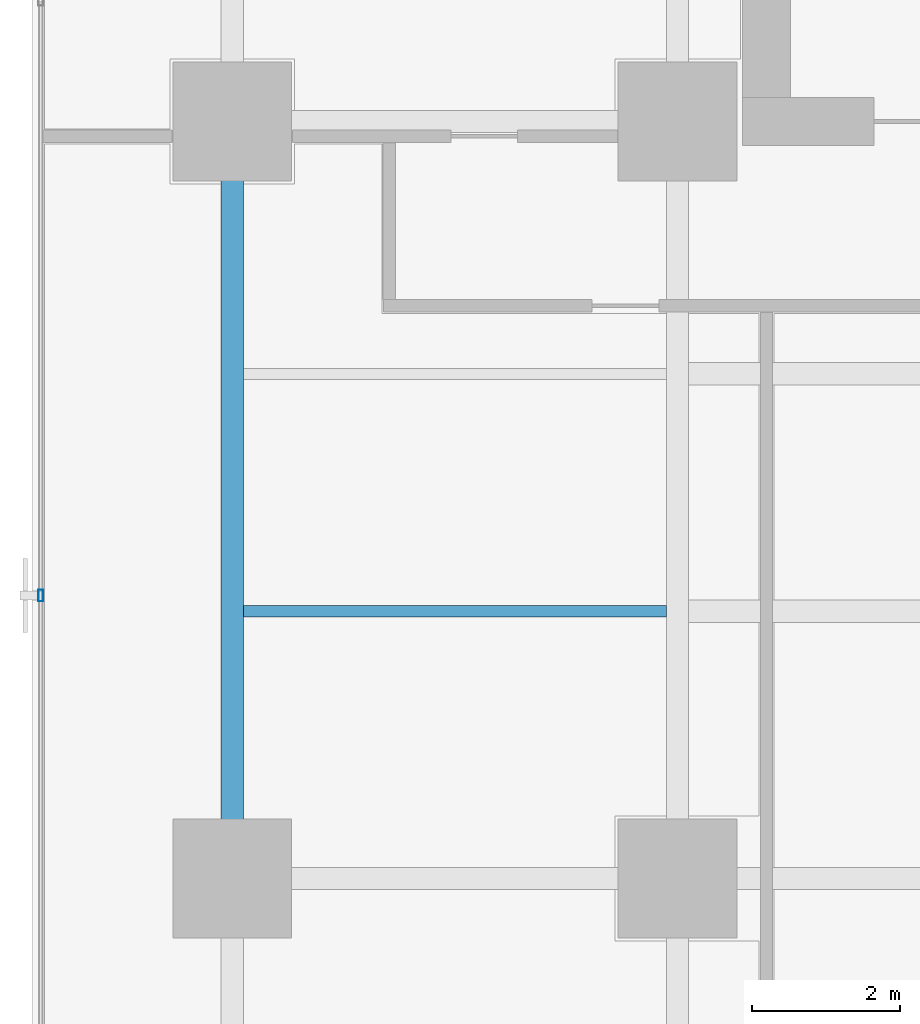
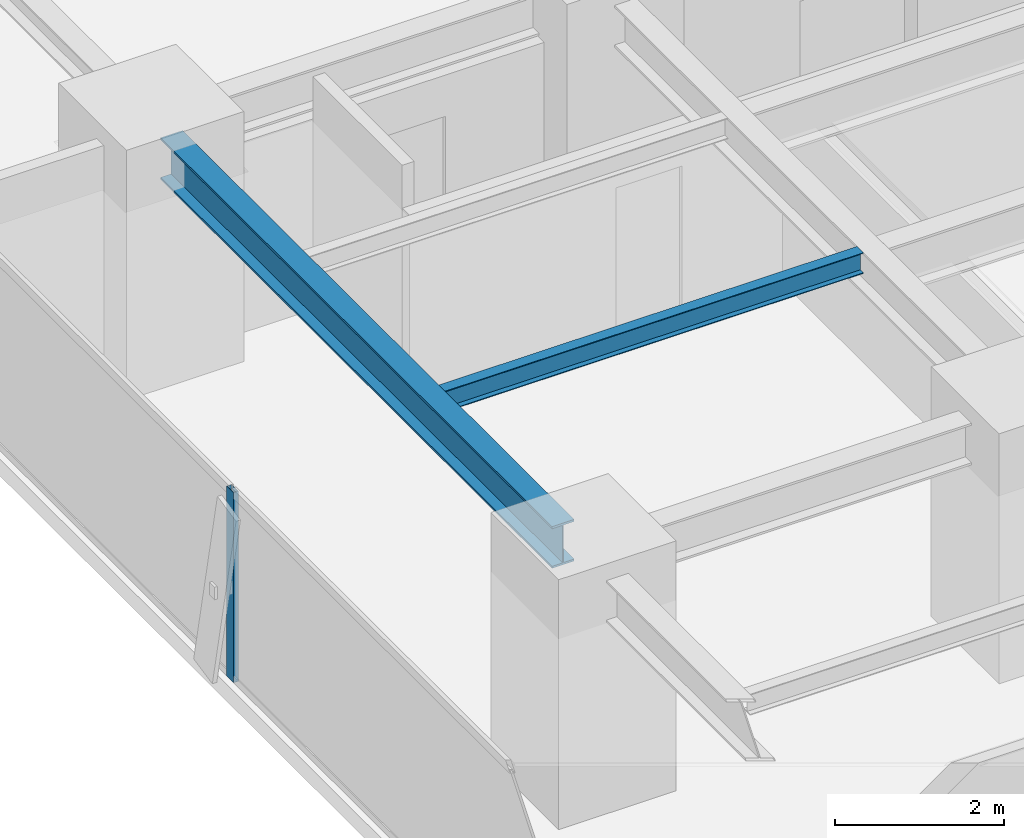
# One storey, part 10 of 35: 2 beams, 1 member, 1 element without a shape of its own.
"""IFC4 building model written with IfcOpenShell, lengths in metres."""

import ifcopenshell
import ifcopenshell.guid

model = None  # the IFC model being written
_history = None  # IfcOwnerHistory: only IFC2X3 demands one
_inside = {}  # id of a spatial element -> (the spatial element, [elements in it])
_under = {}  # id of a project, library or spatial element -> (it, [spatial elements below it])
_declared = {}  # id of a project -> (the project, [libraries it declares])
_typed = {}  # id of a type object -> (the type object, [elements of that type])
_made_of = {}  # id of a material, layer set ... -> (it, [elements and type objects made of it])


def new_model(schema):
    """Start an empty IFC model of exactly this schema.

    Asked for "IFC4X3", IfcOpenShell would pick the latest addendum, in which some entities
    have other attributes; the version numbers below select the first issue.
    IFC2X3 requires an IfcOwnerHistory on every rooted entity: one is made here for all.
    """
    global model, _history
    if schema == "IFC4X3":
        model = ifcopenshell.file(schema_version=(4, 3, 0, 0))
    else:
        model = ifcopenshell.file(schema=schema)
    _inside.clear()
    _under.clear()
    _declared.clear()
    _typed.clear()
    _made_of.clear()
    _history = None
    if model.schema == "IFC2X3":
        org = make("IfcOrganization", Name="unknown")
        user = make(
            "IfcPersonAndOrganization",
            ThePerson=make("IfcPerson", FamilyName="unknown"),
            TheOrganization=org,
        )
        app = make(
            "IfcApplication",
            ApplicationDeveloper=org,
            Version="unknown",
            ApplicationFullName="unknown",
            ApplicationIdentifier="unknown",
        )
        _history = make(
            "IfcOwnerHistory",
            OwningUser=user,
            OwningApplication=app,
            ChangeAction="ADDED",
            CreationDate=0,
        )
    return model


def make(cls, **values):
    """One entity of the class cls with the attributes given. An attribute that is None is left unset."""
    return model.create_entity(
        cls, **{name: value for name, value in values.items() if value is not None}
    )


def rooted(cls, **values):
    """An entity with a GlobalId (a new one), such as an element, a storey or a relation."""
    return make(cls, GlobalId=ifcopenshell.guid.new(), OwnerHistory=_history, **values)


def si_unit(unit_type, name, prefix=None):
    """IfcSIUnit, for example si_unit("LENGTHUNIT", "METRE", prefix="MILLI")."""
    return make("IfcSIUnit", UnitType=unit_type, Prefix=prefix, Name=name)


def assignment(units):
    """IfcUnitAssignment: the units of a project."""
    return None if units is None else make("IfcUnitAssignment", Units=units)


def point(xyz):
    """IfcCartesianPoint."""
    return None if xyz is None else make("IfcCartesianPoint", Coordinates=xyz)


def direction(xyz):
    """IfcDirection."""
    return None if xyz is None else make("IfcDirection", DirectionRatios=xyz)


def frame(location, z_axis=None, x_axis=None):
    """IfcAxis2Placement3D, a coordinate frame: its origin and axes. An axis left out is left unset."""
    return make(
        "IfcAxis2Placement3D",
        Location=point(location),
        Axis=direction(z_axis),
        RefDirection=direction(x_axis),
    )


def frame_2d(location, x_axis=None):
    """IfcAxis2Placement2D, a coordinate frame in the plane: its origin and x axis."""
    return make(
        "IfcAxis2Placement2D", Location=point(location), RefDirection=direction(x_axis)
    )


def origin():
    """The frame at (0, 0, 0) with its axes left unset."""
    return frame((0.0, 0.0, 0.0))


def origin_2d():
    """The frame at (0, 0) in the plane with its x axis left unset."""
    return frame_2d((0.0, 0.0))


def place(relative_to, where):
    """IfcLocalPlacement: puts the frame where relative to a parent placement (None: the world)."""
    return make(
        "IfcLocalPlacement", PlacementRelTo=relative_to, RelativePlacement=where
    )


def context(
    kind, dimensions, precision=None, world=None, true_north=None, identifier=None
):
    """IfcGeometricRepresentationContext, for example the 3D "Model" context."""
    return make(
        "IfcGeometricRepresentationContext",
        ContextIdentifier=identifier,
        ContextType=kind,
        CoordinateSpaceDimension=dimensions,
        Precision=precision,
        WorldCoordinateSystem=world,
        TrueNorth=true_north,
    )


def subcontext(parent, identifier, kind, view, scale=None):
    """IfcGeometricRepresentationSubContext, for example "Body" below "Model"."""
    return make(
        "IfcGeometricRepresentationSubContext",
        ContextIdentifier=identifier,
        ContextType=kind,
        ParentContext=parent,
        TargetScale=scale,
        TargetView=view,
    )


def project(units=None, contexts=None):
    """IfcProject with its units and contexts."""
    return rooted(
        "IfcProject",
        Name="project",
        RepresentationContexts=contexts,
        UnitsInContext=assignment(units),
    )


def spatial(cls, under=None, at=None, **own):
    """A site, building, storey or space (cls), placed at a placement, below another one or the project."""
    s = rooted(cls, ObjectPlacement=at, **own)
    if under is not None:
        _under.setdefault(under.id(), (under, []))[1].append(s)
    return s


def profile(cls, at=None, kind="AREA", **sizes):
    """A parametric profile (cls). Its sizes go by their IFC names, for example OverallWidth=200.0."""
    return make(cls, ProfileType=kind, Position=at, **sizes)


def hollow_rectangle(**sizes):
    """IfcRectangleHollowProfileDef."""
    return profile("IfcRectangleHollowProfileDef", **sizes)


def i_section(**sizes):
    """IfcIShapeProfileDef."""
    return profile("IfcIShapeProfileDef", **sizes)


def extrude(swept, where, along, depth):
    """IfcExtrudedAreaSolid: the profile swept, set in the frame where, extruded along a direction by depth."""
    return make(
        "IfcExtrudedAreaSolid",
        SweptArea=swept,
        Position=where,
        ExtrudedDirection=direction(along),
        Depth=depth,
    )


def shape(context_of_items, identifier, shape_type, items):
    """IfcShapeRepresentation: the items that make up one representation, for example the "Body"."""
    return make(
        "IfcShapeRepresentation",
        ContextOfItems=context_of_items,
        RepresentationIdentifier=identifier,
        RepresentationType=shape_type,
        Items=items,
    )


def source(mapping_origin, context_of_items, identifier, shape_type, items):
    """IfcRepresentationMap: a shape defined once, which mapped items show again and again."""
    return make(
        "IfcRepresentationMap",
        MappingOrigin=mapping_origin,
        MappedRepresentation=shape(context_of_items, identifier, shape_type, items),
    )


def transform(
    local_origin,
    x_axis=None,
    y_axis=None,
    z_axis=None,
    scale=None,
    scale2=None,
    scale3=None,
    uniform=True,
):
    """IfcCartesianTransformationOperator3D, or its non-uniform kind. x_axis, y_axis, z_axis: its Axis1, 2, 3."""
    if uniform:
        return make(
            "IfcCartesianTransformationOperator3D",
            Axis1=direction(x_axis),
            Axis2=direction(y_axis),
            LocalOrigin=point(local_origin),
            Scale=scale,
            Axis3=direction(z_axis),
        )
    return make(
        "IfcCartesianTransformationOperator3DnonUniform",
        Axis1=direction(x_axis),
        Axis2=direction(y_axis),
        LocalOrigin=point(local_origin),
        Scale=scale,
        Axis3=direction(z_axis),
        Scale2=scale2,
        Scale3=scale3,
    )


def mapped(mapping_source, mapping_target):
    """IfcMappedItem: shows the shape of a source again, moved by a transform."""
    return make(
        "IfcMappedItem", MappingSource=mapping_source, MappingTarget=mapping_target
    )


def material(Name=None, Category=None):
    """IfcMaterial."""
    return make("IfcMaterial", Name=Name, Category=Category)


def layer(
    of_material, thickness, ventilated=None, Name=None, Category=None, Priority=None
):
    """IfcMaterialLayer: one layer of a wall or slab, of a material (None: an air gap)."""
    return make(
        "IfcMaterialLayer",
        Material=of_material,
        LayerThickness=thickness,
        IsVentilated=ventilated,
        Name=Name,
        Category=Category,
        Priority=Priority,
    )


def layer_set(layers, Name=None):
    """IfcMaterialLayerSet."""
    return make("IfcMaterialLayerSet", MaterialLayers=layers, LayerSetName=Name)


def material_profile(
    of_material, cross_section, Name=None, Category=None, Priority=None
):
    """IfcMaterialProfile: a cross section and its material."""
    return make(
        "IfcMaterialProfile",
        Name=Name,
        Material=of_material,
        Profile=cross_section,
        Priority=Priority,
        Category=Category,
    )


def profile_set(profiles, Name=None, composite=None):
    """IfcMaterialProfileSet."""
    return make(
        "IfcMaterialProfileSet",
        Name=Name,
        MaterialProfiles=profiles,
        CompositeProfile=composite,
    )


def made_of(thing, what):
    """Note that an element or type object is made of a material, layer set ...; save() writes the relation."""
    if what is not None:
        _made_of.setdefault(what.id(), (what, []))[1].append(thing)
    return thing


def type_object(cls, material=None, **own):
    """A type object (cls), such as IfcWallType, which elements share."""
    return made_of(rooted(cls, **own), material)


def element(
    cls,
    number,
    at=None,
    inside=None,
    cuts=None,
    type_object=None,
    material=None,
    context=None,
    identifier="Body",
    shape_type=None,
    held_by="IfcProductDefinitionShape",
    body=None,
    shapes=None,
    **own,
):
    """One element of the class cls, such as IfcWall. Its Tag is "e" and its number.

    at: its placement. inside: the storey or other place that contains it. cuts: it is an
    opening in that element (IfcRelVoidsElement). A single representation is given by context,
    identifier, shape_type and body (its items); several are given by shapes. held_by: the class
    of the entity that holds the representations. save() writes the other relations.
    """
    e = rooted(cls, Tag="e%d" % number, ObjectPlacement=at, **own)
    if body is not None:
        shapes = [shape(context, identifier, shape_type, body)]
    if shapes is not None:
        e.Representation = make(held_by, Representations=shapes)
    if inside is not None:
        _inside.setdefault(inside.id(), (inside, []))[1].append(e)
    if cuts is not None:
        rooted(
            "IfcRelVoidsElement", RelatingBuildingElement=cuts, RelatedOpeningElement=e
        )
    if type_object is not None:
        _typed.setdefault(type_object.id(), (type_object, []))[1].append(e)
    return made_of(e, material)


def aggregate(whole, parts):
    """IfcRelAggregates: a whole, such as a stair, and the parts it consists of."""
    return rooted("IfcRelAggregates", RelatingObject=whole, RelatedObjects=parts)


def save(model, path):
    """Write the relations noted so far, then the file.

    IfcRelAggregates (storeys below a building ...), IfcRelContainedInSpatialStructure (elements
    in a storey), IfcRelDefinesByType, IfcRelAssociatesMaterial and IfcRelDeclares: one each for
    every whole, place, type object, material and project.
    """
    for whole, parts in _under.values():
        aggregate(whole, parts)
    for where, things in _inside.values():
        rooted(
            "IfcRelContainedInSpatialStructure",
            RelatedElements=things,
            RelatingStructure=where,
        )
    for kind, things in _typed.values():
        rooted("IfcRelDefinesByType", RelatedObjects=things, RelatingType=kind)
    for what, things in _made_of.values():
        rooted("IfcRelAssociatesMaterial", RelatedObjects=things, RelatingMaterial=what)
    for by, libraries in _declared.values():
        rooted("IfcRelDeclares", RelatingContext=by, RelatedDefinitions=libraries)
    model.write(path)


model = new_model("IFC4")

# Units and contexts
model_context = context("Model", 3, precision=1e-05, world=origin(), true_north=direction((0.0, 1.0)))
body_context = subcontext(model_context, "Body", "Model", "MODEL_VIEW")
ifc_project = project(units=[si_unit("LENGTHUNIT", "METRE"), si_unit("AREAUNIT", "SQUARE_METRE"), si_unit("VOLUMEUNIT", "CUBIC_METRE"), si_unit("PLANEANGLEUNIT", "RADIAN"), si_unit("MASSUNIT", "GRAM", prefix="KILO")], contexts=[model_context])

# Site, building, storey
site_placement = place(None, origin())
site = spatial("IfcSite", under=ifc_project, at=site_placement, CompositionType="ELEMENT")
building_placement = place(site_placement, origin())
building = spatial("IfcBuilding", under=site, at=building_placement, Name="Sumidabori Civic Tower", CompositionType="ELEMENT")
storey_placement = place(building_placement, frame((0.0, 0.0, 102.800048828125)))
storey = spatial("IfcBuildingStorey", under=building, at=storey_placement, Name="L26", CompositionType="ELEMENT", Elevation=102.800048828125)

# Beams
ifc_material_1 = material(Name="Steel SN490", Category="steel")
ifc_material_profile_1 = material_profile(ifc_material_1, i_section(OverallWidth=0.300048828125, OverallDepth=0.60009765625, WebThickness=0.015380859375, FlangeThickness=0.030029296875, at=origin_2d()), Name="HE 600 B")
ifc_profile_set_1 = profile_set([ifc_material_profile_1], Name="Steel SN490")
beam_type_1 = type_object("IfcBeamType", Name="BM-GIRD-600", PredefinedType="BEAM", material=ifc_profile_set_1)
shared_shape_1 = source(origin(), body_context, "Body", "SweptSolid", [
    extrude(i_section(OverallWidth=0.300048828125, OverallDepth=0.60009765625, WebThickness=0.015380859375, FlangeThickness=0.030029296875, at=origin_2d()), origin(), (0.0, 0.0, 1.0), 9.239990234375),
])
beam_1_placement = place(storey_placement, frame((-22.800048828125, 0.47998046875, 3.06005859375), z_axis=(0.0, 1.0, 0.0), x_axis=(-1.0, 0.0, 0.0)))
element("IfcBeam", 1, at=beam_1_placement, inside=storey, type_object=beam_type_1, Name="Primary Girder L26 GY-23", PredefinedType="BEAM", context=body_context, shape_type="MappedRepresentation", body=[
    mapped(shared_shape_1, transform((0.0, 0.0, 0.0), x_axis=(1.0, 0.0, 0.0), y_axis=(0.0, 1.0, 0.0), z_axis=(0.0, 0.0, 1.0), scale=1.0)),
])
ifc_material_profile_2 = material_profile(ifc_material_1, i_section(OverallWidth=0.14990234375, OverallDepth=0.300048828125, WebThickness=0.007080078125, FlangeThickness=0.0107421875, at=origin_2d()), Name="IPE 300")
ifc_profile_set_2 = profile_set([ifc_material_profile_2], Name="Steel SN490")
beam_type_2 = type_object("IfcBeamType", Name="BM-JST-300", PredefinedType="JOIST", material=ifc_profile_set_2)
shared_shape_2 = source(origin(), body_context, "Body", "SweptSolid", [
    extrude(i_section(OverallWidth=0.14990234375, OverallDepth=0.300048828125, WebThickness=0.007080078125, FlangeThickness=0.0107421875, at=origin_2d()), origin(), (0.0, 0.0, 1.0), 5.699951171875),
])
beam_2_placement = place(storey_placement, frame((-22.64990234375, 3.60009765625, 3.2099609375), z_axis=(1.0, 0.0, 0.0), x_axis=(0.0, 1.0, 0.0)))
element("IfcBeam", 2, at=beam_2_placement, inside=storey, type_object=beam_type_2, Name="Outer Bay Floor Joist L26 JSTO-47", PredefinedType="JOIST", context=body_context, shape_type="MappedRepresentation", body=[
    mapped(shared_shape_2, transform((0.0, 0.0, 0.0), x_axis=(1.0, 0.0, 0.0), y_axis=(0.0, 1.0, 0.0), z_axis=(0.0, 0.0, 1.0), scale=1.0)),
])

# Curtain wall, member
ifc_material_2 = material(Name="Anodised Bronze Aluminium AW-6063-T6", Category="aluminium")
ifc_layer = layer(ifc_material_2, 0.179931640625, Name="Anodised Bronze Aluminium AW-6063-T6")
ifc_layer_set = layer_set([ifc_layer], Name="Anodised Bronze Aluminium AW-6063-T6")
curtain_wall_type = type_object("IfcCurtainWallType", Name="CW-SYS-3", PredefinedType="NOTDEFINED", material=ifc_layer_set)
curtain_wall_placement = place(storey_placement, origin())
curtain_wall = element("IfcCurtainWall", 3, at=curtain_wall_placement, inside=storey, type_object=curtain_wall_type, Name="Curtain Wall CW:L26:R10", PredefinedType="NOTDEFINED")
ifc_material_profile_3 = material_profile(ifc_material_2, hollow_rectangle(XDim=0.06494140625, YDim=0.159912109375, WallThickness=0.0048828125, at=origin_2d()), Name="ALU MULLION 160x65")
ifc_profile_set_3 = profile_set([ifc_material_profile_3], Name="Anodised Bronze Aluminium AW-6063-T6")
member_type = type_object("IfcMemberType", Name="CW-MUL-160", PredefinedType="MULLION", material=ifc_profile_set_3)
shared_shape_3 = source(origin(), body_context, "Body", "SweptSolid", [
    extrude(hollow_rectangle(XDim=0.06494140625, YDim=0.159912109375, WallThickness=0.0048828125, at=origin_2d()), origin(), (0.0, 0.0, 1.0), 2.739990234375),
])
member_placement = place(storey_placement, frame((-25.3798828125, 3.81396484375, 0.0), z_axis=(0.0, 0.0, 1.0), x_axis=(1.0, 0.0, 0.0)))
member = element("IfcMember", 4, at=member_placement, type_object=member_type, Name="CW-3 mullion 3", PredefinedType="MULLION", context=body_context, shape_type="MappedRepresentation", body=[
    mapped(shared_shape_3, transform((0.0, 0.0, 0.0), x_axis=(1.0, 0.0, 0.0), y_axis=(0.0, 1.0, 0.0), z_axis=(0.0, 0.0, 1.0), scale=1.0)),
])
aggregate(curtain_wall, [member])

save(model, "model.ifc")
